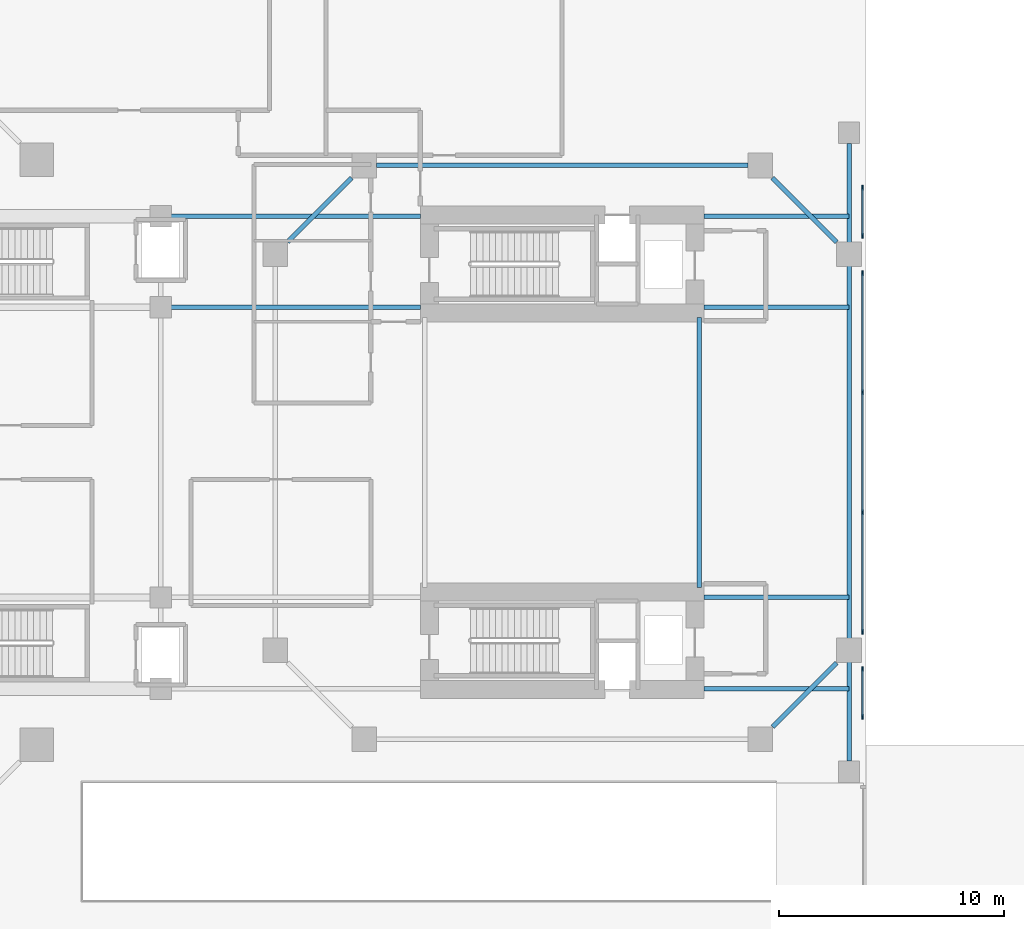
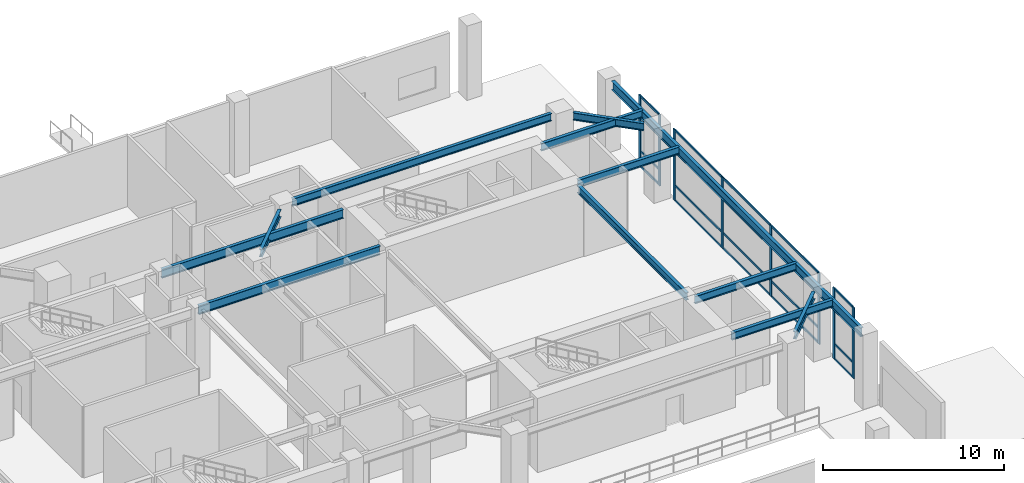
# One storey, part 5 of 18: 23 members, 12 beams, 3 elements without a shape of their own.
"""IFC4 building model written with IfcOpenShell, lengths in metres."""

from ifc_helpers import new_model, si_unit, direction, frame, origin, origin_2d, place, context, subcontext, project, spatial, rectangle, i_section, extrude, source, transform, mapped, material, layer, layer_set, material_profile, profile_set, type_object, element, aggregate, save


model = new_model("IFC4")

# Units and contexts
model_context = context("Model", 3, precision=1e-05, world=origin(), true_north=direction((0.0, 1.0)))
body_context = subcontext(model_context, "Body", "Model", "MODEL_VIEW")
ifc_project = project(units=[si_unit("LENGTHUNIT", "METRE"), si_unit("AREAUNIT", "SQUARE_METRE"), si_unit("VOLUMEUNIT", "CUBIC_METRE"), si_unit("PLANEANGLEUNIT", "RADIAN"), si_unit("MASSUNIT", "GRAM", prefix="KILO"), si_unit("THERMODYNAMICTEMPERATUREUNIT", "KELVIN"), si_unit("POWERUNIT", "WATT")], contexts=[model_context])

# Site, building, storey
site_placement = place(None, origin())
site = spatial("IfcSite", under=ifc_project, at=site_placement, CompositionType="ELEMENT")
building_placement = place(site_placement, origin())
building = spatial("IfcBuilding", under=site, at=building_placement, Name="Qiaomeng Ring Towers", CompositionType="ELEMENT")
storey_placement = place(building_placement, origin())
storey = spatial("IfcBuildingStorey", under=building, at=storey_placement, Name="L00", CompositionType="ELEMENT", Elevation=0.0)

# Beams
ifc_material_1 = material(Name="Steel Q355B", Category="steel")
ifc_material_profile_1 = material_profile(ifc_material_1, i_section(OverallWidth=0.199951171875, OverallDepth=0.60009765625, WebThickness=0.010986328125, FlangeThickness=0.01708984375, FilletRadius=0.02197265625, at=origin_2d()), Name="HN 600x200x11x17")
ifc_profile_set_1 = profile_set([ifc_material_profile_1], Name="Steel Q355B")
beam_type_1 = type_object("IfcBeamType", Name="STR-BM-HN600", PredefinedType="BEAM", material=ifc_profile_set_1)
shared_shape_1 = source(origin(), body_context, "Body", "SweptSolid", [
    extrude(i_section(OverallWidth=0.199951171875, OverallDepth=0.60009765625, WebThickness=0.010986328125, FlangeThickness=0.01708984375, FilletRadius=0.02197265625, at=origin_2d()), origin(), (0.0, 0.0, 1.0), 27.4521484375),
])
beam_1_placement = place(storey_placement, frame((73.25, 9.27392578125, 4.47998046875), z_axis=(0.0, 1.0, 0.0), x_axis=(-1.0, 0.0, 0.0)))
element("IfcBeam", 1, at=beam_1_placement, inside=storey, type_object=beam_type_1, Name="L00 beam STR-SP-L00-EL", PredefinedType="BEAM", context=body_context, shape_type="MappedRepresentation", body=[
    mapped(shared_shape_1, transform((0.0, 0.0, 0.0), x_axis=(1.0, 0.0, 0.0), y_axis=(0.0, 1.0, 0.0), z_axis=(0.0, 0.0, 1.0), scale=1.0)),
])
ifc_material_profile_2 = material_profile(ifc_material_1, i_section(OverallWidth=0.199951171875, OverallDepth=0.5, WebThickness=0.010009765625, FlangeThickness=0.01611328125, FilletRadius=0.02001953125, at=origin_2d()), Name="HN 500x200x10x16")
ifc_profile_set_2 = profile_set([ifc_material_profile_2], Name="Steel Q355B")
beam_type_2 = type_object("IfcBeamType", Name="STR-BM-HN500", PredefinedType="BEAM", material=ifc_profile_set_2)
shared_shape_2 = source(origin(), body_context, "Body", "SweptSolid", [
    extrude(i_section(OverallWidth=0.199951171875, OverallDepth=0.5, WebThickness=0.010009765625, FlangeThickness=0.01611328125, FilletRadius=0.02001953125, at=origin_2d()), origin(), (0.0, 0.0, 1.0), 4.032470703125),
])
for number, where, z_axis, x_axis, name in (
    (2, (69.849365234375, 10.79931640625, 4.530029296875), (0.707106781187, 0.707106781187, 0.0), (-0.707106781187, 0.707106781187, 0.0), "L00 beam STR-SP-L00-T2-2"),
    (3, (72.70068359375, 32.349365234375, 4.530029296875), (-0.707106781187, 0.707106781187, 0.0), (-0.707106781187, -0.707106781187, 0.0), "L00 beam STR-SP-L00-T2-4"),
    (4, (51.150634765625, 35.20068359375, 4.530029296875), (-0.707106781187, -0.707106781187, 0.0), (0.707106781187, -0.707106781187, 0.0), "L00 beam STR-SP-L00-T2-6"),
):
    element("IfcBeam", number, at=place(storey_placement, frame(where, z_axis=z_axis, x_axis=x_axis)), inside=storey, type_object=beam_type_2, Name=name, PredefinedType="BEAM", context=body_context, shape_type="MappedRepresentation", body=[
        mapped(shared_shape_2, transform((0.0, 0.0, 0.0), x_axis=(1.0, 0.0, 0.0), y_axis=(0.0, 1.0, 0.0), z_axis=(0.0, 0.0, 1.0), scale=1.0)),
    ])
shared_shape_3 = source(origin(), body_context, "Body", "SweptSolid", [
    extrude(i_section(OverallWidth=0.199951171875, OverallDepth=0.5, WebThickness=0.010009765625, FlangeThickness=0.01611328125, FilletRadius=0.02001953125, at=origin_2d()), origin(), (0.0, 0.0, 1.0), 16.501953125),
])
beam_2_placement = place(storey_placement, frame((68.7509765625, 35.75, 4.530029296875), z_axis=(-1.0, 0.0, 0.0), x_axis=(0.0, -1.0, 0.0)))
element("IfcBeam", 5, at=beam_2_placement, inside=storey, type_object=beam_type_2, Name="L00 beam STR-SP-L00-T2-5", PredefinedType="BEAM", context=body_context, shape_type="MappedRepresentation", body=[
    mapped(shared_shape_3, transform((0.0, 0.0, 0.0), x_axis=(1.0, 0.0, 0.0), y_axis=(0.0, 1.0, 0.0), z_axis=(0.0, 0.0, 1.0), scale=1.0)),
])
shared_shape_4 = source(origin(), body_context, "Body", "SweptSolid", [
    extrude(i_section(OverallWidth=0.199951171875, OverallDepth=0.60009765625, WebThickness=0.010986328125, FlangeThickness=0.01708984375, FilletRadius=0.02197265625, at=origin_2d()), origin(), (0.0, 0.0, 1.0), 11.550048828125),
])
for number, where, z_axis, x_axis, name in (
    (6, (42.64990234375, 29.449951171875, 4.47998046875), (1.0, 0.0, 0.0), (0.0, 1.0, 0.0), "L00 beam STR-BM-L00-M2-2"),
    (7, (42.64990234375, 33.5, 4.47998046875), (1.0, 0.0, 0.0), (0.0, 1.0, 0.0), "L00 beam STR-BM-L00-M2-3"),
):
    element("IfcBeam", number, at=place(storey_placement, frame(where, z_axis=z_axis, x_axis=x_axis)), inside=storey, type_object=beam_type_1, Name=name, PredefinedType="BEAM", context=body_context, shape_type="MappedRepresentation", body=[
        mapped(shared_shape_4, transform((0.0, 0.0, 0.0), x_axis=(1.0, 0.0, 0.0), y_axis=(0.0, 1.0, 0.0), z_axis=(0.0, 0.0, 1.0), scale=1.0)),
    ])
shared_shape_5 = source(origin(), body_context, "Body", "SweptSolid", [
    extrude(i_section(OverallWidth=0.199951171875, OverallDepth=0.5, WebThickness=0.010009765625, FlangeThickness=0.01611328125, FilletRadius=0.02001953125, at=origin_2d()), origin(), (0.0, 0.0, 1.0), 6.449951171875),
])
for number, where, z_axis, x_axis, name in (
    (8, (66.800048828125, 12.5, 4.530029296875), (1.0, 0.0, 0.0), (0.0, 1.0, 0.0), "L00 beam STR-BM-L00-E-0"),
    (9, (66.800048828125, 16.550048828125, 4.530029296875), (1.0, 0.0, 0.0), (0.0, 1.0, 0.0), "L00 beam STR-BM-L00-E-1"),
    (10, (66.800048828125, 29.449951171875, 4.530029296875), (1.0, 0.0, 0.0), (0.0, 1.0, 0.0), "L00 beam STR-BM-L00-E-2"),
    (11, (66.800048828125, 33.5, 4.530029296875), (1.0, 0.0, 0.0), (0.0, 1.0, 0.0), "L00 beam STR-BM-L00-E-3"),
):
    element("IfcBeam", number, at=place(storey_placement, frame(where, z_axis=z_axis, x_axis=x_axis)), inside=storey, type_object=beam_type_2, Name=name, PredefinedType="BEAM", context=body_context, shape_type="MappedRepresentation", body=[
        mapped(shared_shape_5, transform((0.0, 0.0, 0.0), x_axis=(1.0, 0.0, 0.0), y_axis=(0.0, 1.0, 0.0), z_axis=(0.0, 0.0, 1.0), scale=1.0)),
    ])
shared_shape_6 = source(origin(), body_context, "Body", "SweptSolid", [
    extrude(i_section(OverallWidth=0.199951171875, OverallDepth=0.5, WebThickness=0.010009765625, FlangeThickness=0.01611328125, FilletRadius=0.02001953125, at=origin_2d()), origin(), (0.0, 0.0, 1.0), 12.0),
])
beam_3_placement = place(storey_placement, frame((66.60009765625, 17.0, 4.530029296875), z_axis=(0.0, 1.0, 0.0), x_axis=(-1.0, 0.0, 0.0)))
element("IfcBeam", 12, at=beam_3_placement, inside=storey, type_object=beam_type_2, Name="L00 beam STR-BM-L00-AT2-E", PredefinedType="BEAM", context=body_context, shape_type="MappedRepresentation", body=[
    mapped(shared_shape_6, transform((0.0, 0.0, 0.0), x_axis=(1.0, 0.0, 0.0), y_axis=(0.0, 1.0, 0.0), z_axis=(0.0, 0.0, 1.0), scale=1.0)),
])

# Curtain wall, members
ifc_material_2 = material(Name="Fluorocarbon dark-grey aluminium", Category="aluminium")
ifc_layer = layer(ifc_material_2, 0.179931640625, Name="Fluorocarbon dark-grey aluminium")
ifc_layer_set = layer_set([ifc_layer], Name="Fluorocarbon dark-grey aluminium")
curtain_wall_type = type_object("IfcCurtainWallType", Name="ARC-CW-1", PredefinedType="NOTDEFINED", material=ifc_layer_set)
curtain_wall_1_placement = place(storey_placement, origin())
curtain_wall_1 = element("IfcCurtainWall", 13, at=curtain_wall_1_placement, inside=storey, type_object=curtain_wall_type, Name="L00 Curtain Wall CW1", PredefinedType="NOTDEFINED")
ifc_material_profile_3 = material_profile(ifc_material_2, rectangle(XDim=0.080078125, YDim=0.219970703125, at=origin_2d()), Name="ALU MULL 80x220")
ifc_profile_set_3 = profile_set([ifc_material_profile_3], Name="Fluorocarbon dark-grey aluminium")
member_type_1 = type_object("IfcMemberType", Name="ARC-CWM-180", PredefinedType="MULLION", material=ifc_profile_set_3)
shared_shape_7 = source(origin(), body_context, "Body", "SweptSolid", [
    extrude(rectangle(XDim=0.080078125, YDim=0.219970703125, at=origin_2d()), origin(), (0.0, 0.0, 1.0), 4.780029296875),
])
member_1_placement = place(storey_placement, frame((73.85009765625, 11.239990234375, 0.0), z_axis=(0.0, 0.0, 1.0), x_axis=(-1.0, 0.0, 0.0)))
member_1 = element("IfcMember", 14, at=member_1_placement, type_object=member_type_1, Name="CW1 mullion 1", PredefinedType="MULLION", context=body_context, shape_type="MappedRepresentation", body=[
    mapped(shared_shape_7, transform((0.0, 0.0, 0.0), x_axis=(1.0, 0.0, 0.0), y_axis=(0.0, 1.0, 0.0), z_axis=(0.0, 0.0, 1.0), scale=1.0)),
])
member_2_placement = place(storey_placement, frame((73.85009765625, 13.3701171875, 0.0), z_axis=(0.0, 0.0, 1.0), x_axis=(-1.0, 0.0, 0.0)))
member_2 = element("IfcMember", 15, at=member_2_placement, type_object=member_type_1, Name="CW1 mullion 2", PredefinedType="MULLION", context=body_context, shape_type="MappedRepresentation", body=[
    mapped(shared_shape_7, transform((0.0, 0.0, 0.0), x_axis=(1.0, 0.0, 0.0), y_axis=(0.0, 1.0, 0.0), z_axis=(0.0, 0.0, 1.0), scale=1.0)),
])

curtain_wall_2_placement = place(storey_placement, origin())
curtain_wall_2 = element("IfcCurtainWall", 16, at=curtain_wall_2_placement, inside=storey, type_object=curtain_wall_type, Name="L00 Curtain Wall CW1", PredefinedType="NOTDEFINED")
member_3_placement = place(storey_placement, frame((73.85009765625, 15.030029296875, 0.0), z_axis=(0.0, 0.0, 1.0), x_axis=(-1.0, 0.0, 0.0)))
member_3 = element("IfcMember", 17, at=member_3_placement, type_object=member_type_1, Name="CW1 mullion 1", PredefinedType="MULLION", context=body_context, shape_type="MappedRepresentation", body=[
    mapped(shared_shape_7, transform((0.0, 0.0, 0.0), x_axis=(1.0, 0.0, 0.0), y_axis=(0.0, 1.0, 0.0), z_axis=(0.0, 0.0, 1.0), scale=1.0)),
])
member_4_placement = place(storey_placement, frame((73.85009765625, 20.330078125, 0.0), z_axis=(0.0, 0.0, 1.0), x_axis=(-1.0, 0.0, 0.0)))
member_4 = element("IfcMember", 18, at=member_4_placement, type_object=member_type_1, Name="CW1 mullion 2", PredefinedType="MULLION", context=body_context, shape_type="MappedRepresentation", body=[
    mapped(shared_shape_7, transform((0.0, 0.0, 0.0), x_axis=(1.0, 0.0, 0.0), y_axis=(0.0, 1.0, 0.0), z_axis=(0.0, 0.0, 1.0), scale=1.0)),
])
member_5_placement = place(storey_placement, frame((73.85009765625, 25.669921875, 0.0), z_axis=(0.0, 0.0, 1.0), x_axis=(-1.0, 0.0, 0.0)))
member_5 = element("IfcMember", 19, at=member_5_placement, type_object=member_type_1, Name="CW1 mullion 3", PredefinedType="MULLION", context=body_context, shape_type="MappedRepresentation", body=[
    mapped(shared_shape_7, transform((0.0, 0.0, 0.0), x_axis=(1.0, 0.0, 0.0), y_axis=(0.0, 1.0, 0.0), z_axis=(0.0, 0.0, 1.0), scale=1.0)),
])
member_6_placement = place(storey_placement, frame((73.85009765625, 30.969970703125, 0.0), z_axis=(0.0, 0.0, 1.0), x_axis=(-1.0, 0.0, 0.0)))
member_6 = element("IfcMember", 20, at=member_6_placement, type_object=member_type_1, Name="CW1 mullion 4", PredefinedType="MULLION", context=body_context, shape_type="MappedRepresentation", body=[
    mapped(shared_shape_7, transform((0.0, 0.0, 0.0), x_axis=(1.0, 0.0, 0.0), y_axis=(0.0, 1.0, 0.0), z_axis=(0.0, 0.0, 1.0), scale=1.0)),
])

curtain_wall_3_placement = place(storey_placement, origin())
curtain_wall_3 = element("IfcCurtainWall", 21, at=curtain_wall_3_placement, inside=storey, type_object=curtain_wall_type, Name="L00 Curtain Wall CW1", PredefinedType="NOTDEFINED")
member_7_placement = place(storey_placement, frame((73.85009765625, 32.6298828125, 0.0), z_axis=(0.0, 0.0, 1.0), x_axis=(-1.0, 0.0, 0.0)))
member_7 = element("IfcMember", 22, at=member_7_placement, type_object=member_type_1, Name="CW1 mullion 1", PredefinedType="MULLION", context=body_context, shape_type="MappedRepresentation", body=[
    mapped(shared_shape_7, transform((0.0, 0.0, 0.0), x_axis=(1.0, 0.0, 0.0), y_axis=(0.0, 1.0, 0.0), z_axis=(0.0, 0.0, 1.0), scale=1.0)),
])
member_8_placement = place(storey_placement, frame((73.85009765625, 34.760009765625, 0.0), z_axis=(0.0, 0.0, 1.0), x_axis=(-1.0, 0.0, 0.0)))
member_8 = element("IfcMember", 23, at=member_8_placement, type_object=member_type_1, Name="CW1 mullion 2", PredefinedType="MULLION", context=body_context, shape_type="MappedRepresentation", body=[
    mapped(shared_shape_7, transform((0.0, 0.0, 0.0), x_axis=(1.0, 0.0, 0.0), y_axis=(0.0, 1.0, 0.0), z_axis=(0.0, 0.0, 1.0), scale=1.0)),
])

# Member
ifc_material_profile_4 = material_profile(ifc_material_2, rectangle(XDim=0.070068359375, YDim=0.139892578125, at=origin_2d()), Name="ALU TRAN 70x140")
ifc_profile_set_4 = profile_set([ifc_material_profile_4], Name="Fluorocarbon dark-grey aluminium")
member_type_2 = type_object("IfcMemberType", Name="ARC-CWT-140", PredefinedType="USERDEFINED", material=ifc_profile_set_4)
shared_shape_8 = source(origin(), body_context, "Body", "SweptSolid", [
    extrude(rectangle(XDim=0.070068359375, YDim=0.139892578125, at=origin_2d()), origin(), (0.0, 0.0, 1.0), 2.050048828125),
])
member_9_placement = place(storey_placement, frame((73.85009765625, 11.280029296875, 0.034912109375), z_axis=(0.0, 1.0, 0.0), x_axis=(-1.0, 0.0, 0.0)))
member_9 = element("IfcMember", 24, at=member_9_placement, type_object=member_type_2, Name="CW1 transom 1.1", ObjectType="TRANSOM", PredefinedType="USERDEFINED", context=body_context, shape_type="MappedRepresentation", body=[
    mapped(shared_shape_8, transform((0.0, 0.0, 0.0), x_axis=(1.0, 0.0, 0.0), y_axis=(0.0, 1.0, 0.0), z_axis=(0.0, 0.0, 1.0), scale=1.0)),
])

member_10_placement = place(storey_placement, frame((73.85009765625, 11.280029296875, 1.050048828125), z_axis=(0.0, 1.0, 0.0), x_axis=(-1.0, 0.0, 0.0)))
member_10 = element("IfcMember", 25, at=member_10_placement, type_object=member_type_2, Name="CW1 transom 1.2", ObjectType="TRANSOM", PredefinedType="USERDEFINED", context=body_context, shape_type="MappedRepresentation", body=[
    mapped(shared_shape_8, transform((0.0, 0.0, 0.0), x_axis=(1.0, 0.0, 0.0), y_axis=(0.0, 1.0, 0.0), z_axis=(0.0, 0.0, 1.0), scale=1.0)),
])

member_11_placement = place(storey_placement, frame((73.85009765625, 11.280029296875, 4.7451171875), z_axis=(0.0, 1.0, 0.0), x_axis=(-1.0, 0.0, 0.0)))
member_11 = element("IfcMember", 26, at=member_11_placement, type_object=member_type_2, Name="CW1 transom 1.3", ObjectType="TRANSOM", PredefinedType="USERDEFINED", context=body_context, shape_type="MappedRepresentation", body=[
    mapped(shared_shape_8, transform((0.0, 0.0, 0.0), x_axis=(1.0, 0.0, 0.0), y_axis=(0.0, 1.0, 0.0), z_axis=(0.0, 0.0, 1.0), scale=1.0)),
])

aggregate(curtain_wall_1, [member_1, member_2, member_9, member_10, member_11])

member_12_placement = place(storey_placement, frame((73.85009765625, 32.669921875, 0.034912109375), z_axis=(0.0, 1.0, 0.0), x_axis=(-1.0, 0.0, 0.0)))
member_12 = element("IfcMember", 27, at=member_12_placement, type_object=member_type_2, Name="CW1 transom 1.1", ObjectType="TRANSOM", PredefinedType="USERDEFINED", context=body_context, shape_type="MappedRepresentation", body=[
    mapped(shared_shape_8, transform((0.0, 0.0, 0.0), x_axis=(1.0, 0.0, 0.0), y_axis=(0.0, 1.0, 0.0), z_axis=(0.0, 0.0, 1.0), scale=1.0)),
])

member_13_placement = place(storey_placement, frame((73.85009765625, 32.669921875, 1.050048828125), z_axis=(0.0, 1.0, 0.0), x_axis=(-1.0, 0.0, 0.0)))
member_13 = element("IfcMember", 28, at=member_13_placement, type_object=member_type_2, Name="CW1 transom 1.2", ObjectType="TRANSOM", PredefinedType="USERDEFINED", context=body_context, shape_type="MappedRepresentation", body=[
    mapped(shared_shape_8, transform((0.0, 0.0, 0.0), x_axis=(1.0, 0.0, 0.0), y_axis=(0.0, 1.0, 0.0), z_axis=(0.0, 0.0, 1.0), scale=1.0)),
])

member_14_placement = place(storey_placement, frame((73.85009765625, 32.669921875, 4.7451171875), z_axis=(0.0, 1.0, 0.0), x_axis=(-1.0, 0.0, 0.0)))
member_14 = element("IfcMember", 29, at=member_14_placement, type_object=member_type_2, Name="CW1 transom 1.3", ObjectType="TRANSOM", PredefinedType="USERDEFINED", context=body_context, shape_type="MappedRepresentation", body=[
    mapped(shared_shape_8, transform((0.0, 0.0, 0.0), x_axis=(1.0, 0.0, 0.0), y_axis=(0.0, 1.0, 0.0), z_axis=(0.0, 0.0, 1.0), scale=1.0)),
])

aggregate(curtain_wall_3, [member_7, member_8, member_12, member_13, member_14])

shared_shape_9 = source(origin(), body_context, "Body", "SweptSolid", [
    extrude(rectangle(XDim=0.070068359375, YDim=0.139892578125, at=origin_2d()), origin(), (0.0, 0.0, 1.0), 5.219970703125),
])
member_15_placement = place(storey_placement, frame((73.85009765625, 15.070068359375, 0.034912109375), z_axis=(0.0, 1.0, 0.0), x_axis=(-1.0, 0.0, 0.0)))
member_15 = element("IfcMember", 30, at=member_15_placement, type_object=member_type_2, Name="CW1 transom 1.1", ObjectType="TRANSOM", PredefinedType="USERDEFINED", context=body_context, shape_type="MappedRepresentation", body=[
    mapped(shared_shape_9, transform((0.0, 0.0, 0.0), x_axis=(1.0, 0.0, 0.0), y_axis=(0.0, 1.0, 0.0), z_axis=(0.0, 0.0, 1.0), scale=1.0)),
])

member_16_placement = place(storey_placement, frame((73.85009765625, 15.070068359375, 1.050048828125), z_axis=(0.0, 1.0, 0.0), x_axis=(-1.0, 0.0, 0.0)))
member_16 = element("IfcMember", 31, at=member_16_placement, type_object=member_type_2, Name="CW1 transom 1.2", ObjectType="TRANSOM", PredefinedType="USERDEFINED", context=body_context, shape_type="MappedRepresentation", body=[
    mapped(shared_shape_9, transform((0.0, 0.0, 0.0), x_axis=(1.0, 0.0, 0.0), y_axis=(0.0, 1.0, 0.0), z_axis=(0.0, 0.0, 1.0), scale=1.0)),
])

member_17_placement = place(storey_placement, frame((73.85009765625, 15.070068359375, 4.7451171875), z_axis=(0.0, 1.0, 0.0), x_axis=(-1.0, 0.0, 0.0)))
member_17 = element("IfcMember", 32, at=member_17_placement, type_object=member_type_2, Name="CW1 transom 1.3", ObjectType="TRANSOM", PredefinedType="USERDEFINED", context=body_context, shape_type="MappedRepresentation", body=[
    mapped(shared_shape_9, transform((0.0, 0.0, 0.0), x_axis=(1.0, 0.0, 0.0), y_axis=(0.0, 1.0, 0.0), z_axis=(0.0, 0.0, 1.0), scale=1.0)),
])

member_18_placement = place(storey_placement, frame((73.85009765625, 25.7099609375, 0.034912109375), z_axis=(0.0, 1.0, 0.0), x_axis=(-1.0, 0.0, 0.0)))
member_18 = element("IfcMember", 33, at=member_18_placement, type_object=member_type_2, Name="CW1 transom 3.1", ObjectType="TRANSOM", PredefinedType="USERDEFINED", context=body_context, shape_type="MappedRepresentation", body=[
    mapped(shared_shape_9, transform((0.0, 0.0, 0.0), x_axis=(1.0, 0.0, 0.0), y_axis=(0.0, 1.0, 0.0), z_axis=(0.0, 0.0, 1.0), scale=1.0)),
])

member_19_placement = place(storey_placement, frame((73.85009765625, 25.7099609375, 1.050048828125), z_axis=(0.0, 1.0, 0.0), x_axis=(-1.0, 0.0, 0.0)))
member_19 = element("IfcMember", 34, at=member_19_placement, type_object=member_type_2, Name="CW1 transom 3.2", ObjectType="TRANSOM", PredefinedType="USERDEFINED", context=body_context, shape_type="MappedRepresentation", body=[
    mapped(shared_shape_9, transform((0.0, 0.0, 0.0), x_axis=(1.0, 0.0, 0.0), y_axis=(0.0, 1.0, 0.0), z_axis=(0.0, 0.0, 1.0), scale=1.0)),
])

member_20_placement = place(storey_placement, frame((73.85009765625, 25.7099609375, 4.7451171875), z_axis=(0.0, 1.0, 0.0), x_axis=(-1.0, 0.0, 0.0)))
member_20 = element("IfcMember", 35, at=member_20_placement, type_object=member_type_2, Name="CW1 transom 3.3", ObjectType="TRANSOM", PredefinedType="USERDEFINED", context=body_context, shape_type="MappedRepresentation", body=[
    mapped(shared_shape_9, transform((0.0, 0.0, 0.0), x_axis=(1.0, 0.0, 0.0), y_axis=(0.0, 1.0, 0.0), z_axis=(0.0, 0.0, 1.0), scale=1.0)),
])

shared_shape_10 = source(origin(), body_context, "Body", "SweptSolid", [
    extrude(rectangle(XDim=0.070068359375, YDim=0.139892578125, at=origin_2d()), origin(), (0.0, 0.0, 1.0), 5.259765625),
])
member_21_placement = place(storey_placement, frame((73.85009765625, 20.3701171875, 0.034912109375), z_axis=(0.0, 1.0, 0.0), x_axis=(-1.0, 0.0, 0.0)))
member_21 = element("IfcMember", 36, at=member_21_placement, type_object=member_type_2, Name="CW1 transom 2.1", ObjectType="TRANSOM", PredefinedType="USERDEFINED", context=body_context, shape_type="MappedRepresentation", body=[
    mapped(shared_shape_10, transform((0.0, 0.0, 0.0), x_axis=(1.0, 0.0, 0.0), y_axis=(0.0, 1.0, 0.0), z_axis=(0.0, 0.0, 1.0), scale=1.0)),
])

member_22_placement = place(storey_placement, frame((73.85009765625, 20.3701171875, 1.050048828125), z_axis=(0.0, 1.0, 0.0), x_axis=(-1.0, 0.0, 0.0)))
member_22 = element("IfcMember", 37, at=member_22_placement, type_object=member_type_2, Name="CW1 transom 2.2", ObjectType="TRANSOM", PredefinedType="USERDEFINED", context=body_context, shape_type="MappedRepresentation", body=[
    mapped(shared_shape_10, transform((0.0, 0.0, 0.0), x_axis=(1.0, 0.0, 0.0), y_axis=(0.0, 1.0, 0.0), z_axis=(0.0, 0.0, 1.0), scale=1.0)),
])

member_23_placement = place(storey_placement, frame((73.85009765625, 20.3701171875, 4.7451171875), z_axis=(0.0, 1.0, 0.0), x_axis=(-1.0, 0.0, 0.0)))
member_23 = element("IfcMember", 38, at=member_23_placement, type_object=member_type_2, Name="CW1 transom 2.3", ObjectType="TRANSOM", PredefinedType="USERDEFINED", context=body_context, shape_type="MappedRepresentation", body=[
    mapped(shared_shape_10, transform((0.0, 0.0, 0.0), x_axis=(1.0, 0.0, 0.0), y_axis=(0.0, 1.0, 0.0), z_axis=(0.0, 0.0, 1.0), scale=1.0)),
])

aggregate(curtain_wall_2, [member_3, member_4, member_5, member_6, member_15, member_16, member_17, member_21, member_22, member_23, member_18, member_19, member_20])

save(model, "model.ifc")
